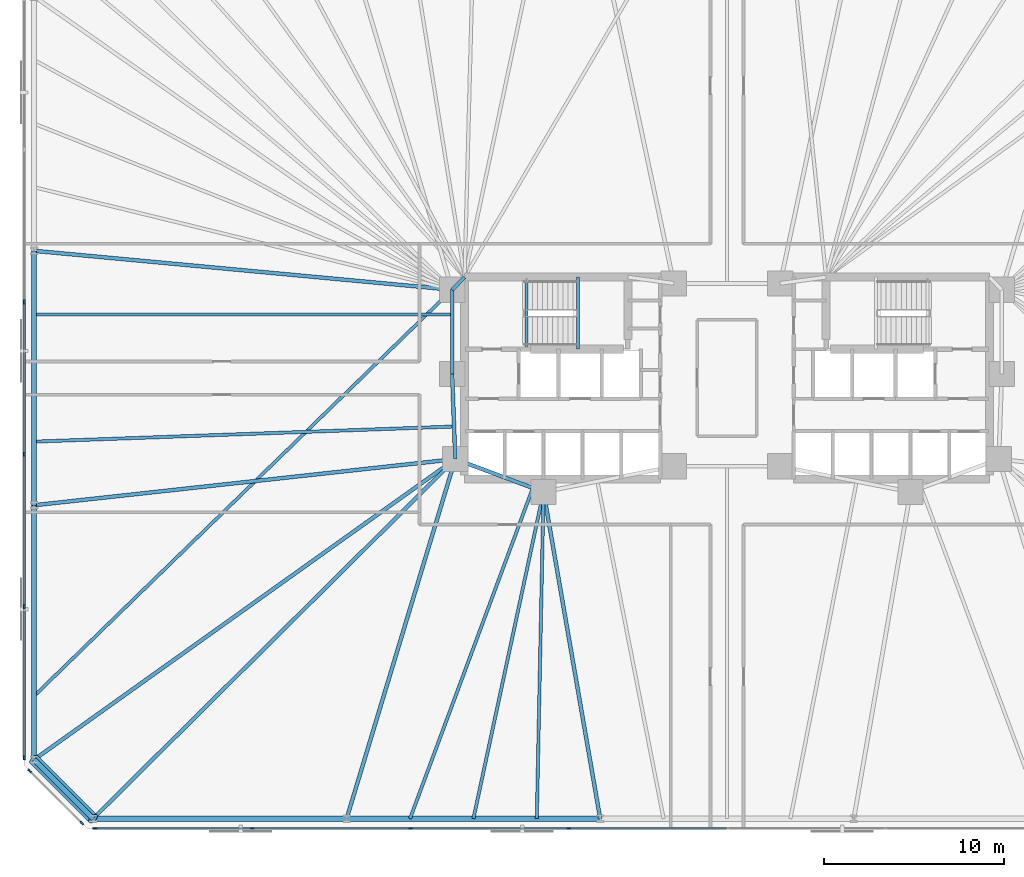
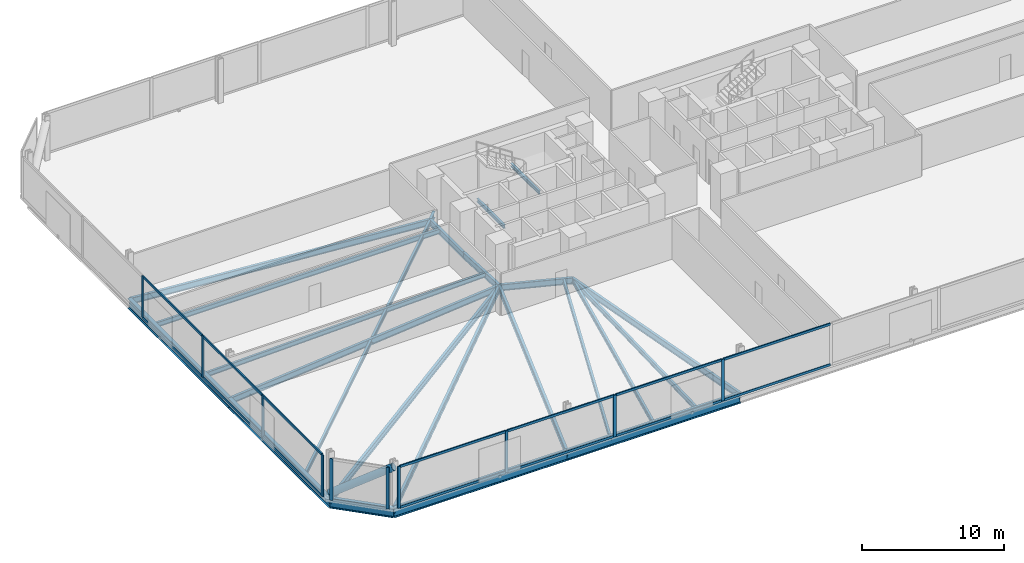
# One storey, part 6 of 16: 25 members, 23 beams, 3 elements without a shape of their own.
"""IFC4 building model written with IfcOpenShell, lengths in metres."""

import ifcopenshell
import ifcopenshell.guid

model = None  # the IFC model being written
_history = None  # IfcOwnerHistory: only IFC2X3 demands one
_inside = {}  # id of a spatial element -> (the spatial element, [elements in it])
_under = {}  # id of a project, library or spatial element -> (it, [spatial elements below it])
_declared = {}  # id of a project -> (the project, [libraries it declares])
_typed = {}  # id of a type object -> (the type object, [elements of that type])
_made_of = {}  # id of a material, layer set ... -> (it, [elements and type objects made of it])


def new_model(schema):
    """Start an empty IFC model of exactly this schema.

    Asked for "IFC4X3", IfcOpenShell would pick the latest addendum, in which some entities
    have other attributes; the version numbers below select the first issue.
    IFC2X3 requires an IfcOwnerHistory on every rooted entity: one is made here for all.
    """
    global model, _history
    if schema == "IFC4X3":
        model = ifcopenshell.file(schema_version=(4, 3, 0, 0))
    else:
        model = ifcopenshell.file(schema=schema)
    _inside.clear()
    _under.clear()
    _declared.clear()
    _typed.clear()
    _made_of.clear()
    _history = None
    if model.schema == "IFC2X3":
        org = make("IfcOrganization", Name="unknown")
        user = make(
            "IfcPersonAndOrganization",
            ThePerson=make("IfcPerson", FamilyName="unknown"),
            TheOrganization=org,
        )
        app = make(
            "IfcApplication",
            ApplicationDeveloper=org,
            Version="unknown",
            ApplicationFullName="unknown",
            ApplicationIdentifier="unknown",
        )
        _history = make(
            "IfcOwnerHistory",
            OwningUser=user,
            OwningApplication=app,
            ChangeAction="ADDED",
            CreationDate=0,
        )
    return model


def make(cls, **values):
    """One entity of the class cls with the attributes given. An attribute that is None is left unset."""
    return model.create_entity(
        cls, **{name: value for name, value in values.items() if value is not None}
    )


def rooted(cls, **values):
    """An entity with a GlobalId (a new one), such as an element, a storey or a relation."""
    return make(cls, GlobalId=ifcopenshell.guid.new(), OwnerHistory=_history, **values)


def si_unit(unit_type, name, prefix=None):
    """IfcSIUnit, for example si_unit("LENGTHUNIT", "METRE", prefix="MILLI")."""
    return make("IfcSIUnit", UnitType=unit_type, Prefix=prefix, Name=name)


def assignment(units):
    """IfcUnitAssignment: the units of a project."""
    return None if units is None else make("IfcUnitAssignment", Units=units)


def point(xyz):
    """IfcCartesianPoint."""
    return None if xyz is None else make("IfcCartesianPoint", Coordinates=xyz)


def direction(xyz):
    """IfcDirection."""
    return None if xyz is None else make("IfcDirection", DirectionRatios=xyz)


def frame(location, z_axis=None, x_axis=None):
    """IfcAxis2Placement3D, a coordinate frame: its origin and axes. An axis left out is left unset."""
    return make(
        "IfcAxis2Placement3D",
        Location=point(location),
        Axis=direction(z_axis),
        RefDirection=direction(x_axis),
    )


def frame_2d(location, x_axis=None):
    """IfcAxis2Placement2D, a coordinate frame in the plane: its origin and x axis."""
    return make(
        "IfcAxis2Placement2D", Location=point(location), RefDirection=direction(x_axis)
    )


def origin():
    """The frame at (0, 0, 0) with its axes left unset."""
    return frame((0.0, 0.0, 0.0))


def origin_2d():
    """The frame at (0, 0) in the plane with its x axis left unset."""
    return frame_2d((0.0, 0.0))


def place(relative_to, where):
    """IfcLocalPlacement: puts the frame where relative to a parent placement (None: the world)."""
    return make(
        "IfcLocalPlacement", PlacementRelTo=relative_to, RelativePlacement=where
    )


def context(
    kind, dimensions, precision=None, world=None, true_north=None, identifier=None
):
    """IfcGeometricRepresentationContext, for example the 3D "Model" context."""
    return make(
        "IfcGeometricRepresentationContext",
        ContextIdentifier=identifier,
        ContextType=kind,
        CoordinateSpaceDimension=dimensions,
        Precision=precision,
        WorldCoordinateSystem=world,
        TrueNorth=true_north,
    )


def subcontext(parent, identifier, kind, view, scale=None):
    """IfcGeometricRepresentationSubContext, for example "Body" below "Model"."""
    return make(
        "IfcGeometricRepresentationSubContext",
        ContextIdentifier=identifier,
        ContextType=kind,
        ParentContext=parent,
        TargetScale=scale,
        TargetView=view,
    )


def project(units=None, contexts=None):
    """IfcProject with its units and contexts."""
    return rooted(
        "IfcProject",
        Name="project",
        RepresentationContexts=contexts,
        UnitsInContext=assignment(units),
    )


def spatial(cls, under=None, at=None, **own):
    """A site, building, storey or space (cls), placed at a placement, below another one or the project."""
    s = rooted(cls, ObjectPlacement=at, **own)
    if under is not None:
        _under.setdefault(under.id(), (under, []))[1].append(s)
    return s


def profile(cls, at=None, kind="AREA", **sizes):
    """A parametric profile (cls). Its sizes go by their IFC names, for example OverallWidth=200.0."""
    return make(cls, ProfileType=kind, Position=at, **sizes)


def rectangle(**sizes):
    """IfcRectangleProfileDef."""
    return profile("IfcRectangleProfileDef", **sizes)


def hollow_circle(**sizes):
    """IfcCircleHollowProfileDef."""
    return profile("IfcCircleHollowProfileDef", **sizes)


def i_section(**sizes):
    """IfcIShapeProfileDef."""
    return profile("IfcIShapeProfileDef", **sizes)


def extrude(swept, where, along, depth):
    """IfcExtrudedAreaSolid: the profile swept, set in the frame where, extruded along a direction by depth."""
    return make(
        "IfcExtrudedAreaSolid",
        SweptArea=swept,
        Position=where,
        ExtrudedDirection=direction(along),
        Depth=depth,
    )


def shape(context_of_items, identifier, shape_type, items):
    """IfcShapeRepresentation: the items that make up one representation, for example the "Body"."""
    return make(
        "IfcShapeRepresentation",
        ContextOfItems=context_of_items,
        RepresentationIdentifier=identifier,
        RepresentationType=shape_type,
        Items=items,
    )


def material(Name=None, Category=None):
    """IfcMaterial."""
    return make("IfcMaterial", Name=Name, Category=Category)


def material_profile(
    of_material, cross_section, Name=None, Category=None, Priority=None
):
    """IfcMaterialProfile: a cross section and its material."""
    return make(
        "IfcMaterialProfile",
        Name=Name,
        Material=of_material,
        Profile=cross_section,
        Priority=Priority,
        Category=Category,
    )


def profile_set(profiles, Name=None, composite=None):
    """IfcMaterialProfileSet."""
    return make(
        "IfcMaterialProfileSet",
        Name=Name,
        MaterialProfiles=profiles,
        CompositeProfile=composite,
    )


def made_of(thing, what):
    """Note that an element or type object is made of a material, layer set ...; save() writes the relation."""
    if what is not None:
        _made_of.setdefault(what.id(), (what, []))[1].append(thing)
    return thing


def type_object(cls, material=None, **own):
    """A type object (cls), such as IfcWallType, which elements share."""
    return made_of(rooted(cls, **own), material)


def element(
    cls,
    number,
    at=None,
    inside=None,
    cuts=None,
    type_object=None,
    material=None,
    context=None,
    identifier="Body",
    shape_type=None,
    held_by="IfcProductDefinitionShape",
    body=None,
    shapes=None,
    **own,
):
    """One element of the class cls, such as IfcWall. Its Tag is "e" and its number.

    at: its placement. inside: the storey or other place that contains it. cuts: it is an
    opening in that element (IfcRelVoidsElement). A single representation is given by context,
    identifier, shape_type and body (its items); several are given by shapes. held_by: the class
    of the entity that holds the representations. save() writes the other relations.
    """
    e = rooted(cls, Tag="e%d" % number, ObjectPlacement=at, **own)
    if body is not None:
        shapes = [shape(context, identifier, shape_type, body)]
    if shapes is not None:
        e.Representation = make(held_by, Representations=shapes)
    if inside is not None:
        _inside.setdefault(inside.id(), (inside, []))[1].append(e)
    if cuts is not None:
        rooted(
            "IfcRelVoidsElement", RelatingBuildingElement=cuts, RelatedOpeningElement=e
        )
    if type_object is not None:
        _typed.setdefault(type_object.id(), (type_object, []))[1].append(e)
    return made_of(e, material)


def aggregate(whole, parts):
    """IfcRelAggregates: a whole, such as a stair, and the parts it consists of."""
    return rooted("IfcRelAggregates", RelatingObject=whole, RelatedObjects=parts)


def save(model, path):
    """Write the relations noted so far, then the file.

    IfcRelAggregates (storeys below a building ...), IfcRelContainedInSpatialStructure (elements
    in a storey), IfcRelDefinesByType, IfcRelAssociatesMaterial and IfcRelDeclares: one each for
    every whole, place, type object, material and project.
    """
    for whole, parts in _under.values():
        aggregate(whole, parts)
    for where, things in _inside.values():
        rooted(
            "IfcRelContainedInSpatialStructure",
            RelatedElements=things,
            RelatingStructure=where,
        )
    for kind, things in _typed.values():
        rooted("IfcRelDefinesByType", RelatedObjects=things, RelatingType=kind)
    for what, things in _made_of.values():
        rooted("IfcRelAssociatesMaterial", RelatedObjects=things, RelatingMaterial=what)
    for by, libraries in _declared.values():
        rooted("IfcRelDeclares", RelatingContext=by, RelatedDefinitions=libraries)
    model.write(path)


model = new_model("IFC4")

# Units and contexts
model_context = context("Model", 3, precision=1e-05, world=origin(), true_north=direction((0.0, 1.0)))
body_context = subcontext(model_context, "Body", "Model", "MODEL_VIEW")
ifc_project = project(units=[si_unit("LENGTHUNIT", "METRE"), si_unit("AREAUNIT", "SQUARE_METRE"), si_unit("VOLUMEUNIT", "CUBIC_METRE"), si_unit("PLANEANGLEUNIT", "RADIAN"), si_unit("MASSUNIT", "GRAM", prefix="KILO")], contexts=[model_context])

# Site, building, storey
site_placement = place(None, origin())
site = spatial("IfcSite", under=ifc_project, at=site_placement, CompositionType="ELEMENT")
building_placement = place(site_placement, origin())
building = spatial("IfcBuilding", under=site, at=building_placement, Name="Menara Jurai Vektor", CompositionType="ELEMENT")
storey_placement = place(building_placement, frame((0.0, 0.0, 67.39990234375)))
storey = spatial("IfcBuildingStorey", under=building, at=storey_placement, Name="L16", CompositionType="ELEMENT", Elevation=67.39990234375)

# Curtain wall, members
ifc_material_1 = material(Name="Anodised Pale Aluminium & Low-E Double Glazing", Category="aluminium")
curtain_wall_type = type_object("IfcCurtainWallType", Name="CW-BLK1", PredefinedType="NOTDEFINED", material=ifc_material_1)
curtain_wall_1_placement = place(storey_placement, origin())
curtain_wall_1 = element("IfcCurtainWall", 1, at=curtain_wall_1_placement, inside=storey, type_object=curtain_wall_type, Name="Unitised Curtain Wall L16 F01", PredefinedType="NOTDEFINED")
ifc_material_2 = material(Name="Anodised Pale Aluminium Mullion", Category="aluminium")
ifc_material_profile_1 = material_profile(ifc_material_2, rectangle(XDim=0.094970703125, YDim=0.239990234375, at=origin_2d()), Name="ALU MUL 95x240")
ifc_profile_set_1 = profile_set([ifc_material_profile_1], Name="Anodised Pale Aluminium Mullion")
member_type_1 = type_object("IfcMemberType", Name="CW-BLK1-MUL", PredefinedType="MULLION", material=ifc_profile_set_1)
member_1_placement = place(storey_placement, frame((-35.072509765625, -25.0, 0.0), z_axis=(0.0, 0.0, 1.0), x_axis=(0.0, 1.0, 0.0)))
member_1 = element("IfcMember", 2, at=member_1_placement, type_object=member_type_1, Name="CW-01 mullion 1", PredefinedType="MULLION", context=body_context, shape_type="SweptSolid", body=[
    extrude(rectangle(XDim=0.094970703125, YDim=0.239990234375, at=origin_2d()), origin(), (0.0, 0.0, 1.0), 3.5751953125),
])
member_2_placement = place(storey_placement, frame((-26.340087890625, -25.0, 0.0), z_axis=(0.0, 0.0, 1.0), x_axis=(0.0, 1.0, 0.0)))
member_2 = element("IfcMember", 3, at=member_2_placement, type_object=member_type_1, Name="CW-01 mullion 2", PredefinedType="MULLION", context=body_context, shape_type="SweptSolid", body=[
    extrude(rectangle(XDim=0.094970703125, YDim=0.239990234375, at=origin_2d()), origin(), (0.0, 0.0, 1.0), 3.5751953125),
])
member_3_placement = place(storey_placement, frame((-17.56005859375, -25.0, 0.0), z_axis=(0.0, 0.0, 1.0), x_axis=(0.0, 1.0, 0.0)))
member_3 = element("IfcMember", 4, at=member_3_placement, type_object=member_type_1, Name="CW-01 mullion 3", PredefinedType="MULLION", context=body_context, shape_type="SweptSolid", body=[
    extrude(rectangle(XDim=0.094970703125, YDim=0.239990234375, at=origin_2d()), origin(), (0.0, 0.0, 1.0), 3.5751953125),
])
member_4_placement = place(storey_placement, frame((-8.780029296875, -25.0, 0.0), z_axis=(0.0, 0.0, 1.0), x_axis=(0.0, 1.0, 0.0)))
member_4 = element("IfcMember", 5, at=member_4_placement, type_object=member_type_1, Name="CW-01 mullion 4", PredefinedType="MULLION", context=body_context, shape_type="SweptSolid", body=[
    extrude(rectangle(XDim=0.094970703125, YDim=0.239990234375, at=origin_2d()), origin(), (0.0, 0.0, 1.0), 3.5751953125),
])

curtain_wall_2_placement = place(storey_placement, origin())
curtain_wall_2 = element("IfcCurtainWall", 6, at=curtain_wall_2_placement, inside=storey, type_object=curtain_wall_type, Name="Unitised Curtain Wall L16 F07", PredefinedType="NOTDEFINED")
member_5_placement = place(storey_placement, frame((-39.0, 4.22412109375, 0.0), z_axis=(0.0, 0.0, 1.0), x_axis=(1.0, 0.0, 0.0)))
member_5 = element("IfcMember", 7, at=member_5_placement, type_object=member_type_1, Name="CW-01 mullion 3", PredefinedType="MULLION", context=body_context, shape_type="SweptSolid", body=[
    extrude(rectangle(XDim=0.094970703125, YDim=0.239990234375, at=origin_2d()), origin(), (0.0, 0.0, 1.0), 3.5751953125),
])
member_6_placement = place(storey_placement, frame((-39.0, -4.22412109375, 0.0), z_axis=(0.0, 0.0, 1.0), x_axis=(1.0, 0.0, 0.0)))
member_6 = element("IfcMember", 8, at=member_6_placement, type_object=member_type_1, Name="CW-01 mullion 4", PredefinedType="MULLION", context=body_context, shape_type="SweptSolid", body=[
    extrude(rectangle(XDim=0.094970703125, YDim=0.239990234375, at=origin_2d()), origin(), (0.0, 0.0, 1.0), 3.5751953125),
])
member_7_placement = place(storey_placement, frame((-39.0, -12.672119140625, 0.0), z_axis=(0.0, 0.0, 1.0), x_axis=(1.0, 0.0, 0.0)))
member_7 = element("IfcMember", 9, at=member_7_placement, type_object=member_type_1, Name="CW-01 mullion 5", PredefinedType="MULLION", context=body_context, shape_type="SweptSolid", body=[
    extrude(rectangle(XDim=0.094970703125, YDim=0.239990234375, at=origin_2d()), origin(), (0.0, 0.0, 1.0), 3.5751953125),
])
member_8_placement = place(storey_placement, frame((-39.0, -21.072509765625, 0.0), z_axis=(0.0, 0.0, 1.0), x_axis=(1.0, 0.0, 0.0)))
member_8 = element("IfcMember", 10, at=member_8_placement, type_object=member_type_1, Name="CW-01 mullion 6", PredefinedType="MULLION", context=body_context, shape_type="SweptSolid", body=[
    extrude(rectangle(XDim=0.094970703125, YDim=0.239990234375, at=origin_2d()), origin(), (0.0, 0.0, 1.0), 3.5751953125),
])

curtain_wall_3_placement = place(storey_placement, origin())
curtain_wall_3 = element("IfcCurtainWall", 11, at=curtain_wall_3_placement, inside=storey, type_object=curtain_wall_type, Name="Unitised Curtain Wall L16 F08", PredefinedType="NOTDEFINED")
member_9_placement = place(storey_placement, frame((-38.69775390625, -21.80224609375, 0.0), z_axis=(0.0, 0.0, 1.0), x_axis=(0.707106781187, 0.707106781187, 0.0)))
member_9 = element("IfcMember", 12, at=member_9_placement, type_object=member_type_1, Name="CW-01 mullion 1", PredefinedType="MULLION", context=body_context, shape_type="SweptSolid", body=[
    extrude(rectangle(XDim=0.094970703125, YDim=0.239990234375, at=origin_2d()), origin(), (0.0, 0.0, 1.0), 3.5751953125),
])
member_10_placement = place(storey_placement, frame((-35.80224609375, -24.69775390625, 0.0), z_axis=(0.0, 0.0, 1.0), x_axis=(0.707106781187, 0.707106781187, 0.0)))
member_10 = element("IfcMember", 13, at=member_10_placement, type_object=member_type_1, Name="CW-01 mullion 2", PredefinedType="MULLION", context=body_context, shape_type="SweptSolid", body=[
    extrude(rectangle(XDim=0.094970703125, YDim=0.239990234375, at=origin_2d()), origin(), (0.0, 0.0, 1.0), 3.5751953125),
])
aggregate(curtain_wall_3, [member_9, member_10])

# Member
ifc_material_3 = material(Name="Anodised Pale Aluminium Transom", Category="aluminium")
ifc_material_profile_2 = material_profile(ifc_material_3, rectangle(XDim=0.094970703125, YDim=0.199951171875, at=origin_2d()), Name="ALU TRN 95x200")
ifc_profile_set_2 = profile_set([ifc_material_profile_2], Name="Anodised Pale Aluminium Transom")
member_type_2 = type_object("IfcMemberType", Name="CW-BLK1-TRN", PredefinedType="USERDEFINED", material=ifc_profile_set_2)
member_11_placement = place(storey_placement, frame((-35.02490234375, -25.0, 0.047607421875), z_axis=(1.0, 0.0, 0.0), x_axis=(0.0, 1.0, 0.0)))
member_11 = element("IfcMember", 14, at=member_11_placement, type_object=member_type_2, Name="CW-01 transom 1.1", ObjectType="TRANSOM", PredefinedType="USERDEFINED", context=body_context, shape_type="SweptSolid", body=[
    extrude(rectangle(XDim=0.094970703125, YDim=0.199951171875, at=origin_2d()), origin(), (0.0, 0.0, 1.0), 8.637451171875),
])

member_12_placement = place(storey_placement, frame((-35.02490234375, -25.0, 3.527587890625), z_axis=(1.0, 0.0, 0.0), x_axis=(0.0, 1.0, 0.0)))
member_12 = element("IfcMember", 15, at=member_12_placement, type_object=member_type_2, Name="CW-01 transom 1.2", ObjectType="TRANSOM", PredefinedType="USERDEFINED", context=body_context, shape_type="SweptSolid", body=[
    extrude(rectangle(XDim=0.094970703125, YDim=0.199951171875, at=origin_2d()), origin(), (0.0, 0.0, 1.0), 8.637451171875),
])

member_13_placement = place(storey_placement, frame((-26.29248046875, -25.0, 0.047607421875), z_axis=(1.0, 0.0, 0.0), x_axis=(0.0, 1.0, 0.0)))
member_13 = element("IfcMember", 16, at=member_13_placement, type_object=member_type_2, Name="CW-01 transom 2.1", ObjectType="TRANSOM", PredefinedType="USERDEFINED", context=body_context, shape_type="SweptSolid", body=[
    extrude(rectangle(XDim=0.094970703125, YDim=0.199951171875, at=origin_2d()), origin(), (0.0, 0.0, 1.0), 8.68505859375),
])

member_14_placement = place(storey_placement, frame((-26.29248046875, -25.0, 3.527587890625), z_axis=(1.0, 0.0, 0.0), x_axis=(0.0, 1.0, 0.0)))
member_14 = element("IfcMember", 17, at=member_14_placement, type_object=member_type_2, Name="CW-01 transom 2.2", ObjectType="TRANSOM", PredefinedType="USERDEFINED", context=body_context, shape_type="SweptSolid", body=[
    extrude(rectangle(XDim=0.094970703125, YDim=0.199951171875, at=origin_2d()), origin(), (0.0, 0.0, 1.0), 8.68505859375),
])

member_15_placement = place(storey_placement, frame((-17.512451171875, -25.0, 0.047607421875), z_axis=(1.0, 0.0, 0.0), x_axis=(0.0, 1.0, 0.0)))
member_15 = element("IfcMember", 18, at=member_15_placement, type_object=member_type_2, Name="CW-01 transom 3.1", ObjectType="TRANSOM", PredefinedType="USERDEFINED", context=body_context, shape_type="SweptSolid", body=[
    extrude(rectangle(XDim=0.094970703125, YDim=0.199951171875, at=origin_2d()), origin(), (0.0, 0.0, 1.0), 8.68505859375),
])

member_16_placement = place(storey_placement, frame((-17.512451171875, -25.0, 3.527587890625), z_axis=(1.0, 0.0, 0.0), x_axis=(0.0, 1.0, 0.0)))
member_16 = element("IfcMember", 19, at=member_16_placement, type_object=member_type_2, Name="CW-01 transom 3.2", ObjectType="TRANSOM", PredefinedType="USERDEFINED", context=body_context, shape_type="SweptSolid", body=[
    extrude(rectangle(XDim=0.094970703125, YDim=0.199951171875, at=origin_2d()), origin(), (0.0, 0.0, 1.0), 8.68505859375),
])

member_17_placement = place(storey_placement, frame((-8.732421875, -25.0, 0.047607421875), z_axis=(1.0, 0.0, 0.0), x_axis=(0.0, 1.0, 0.0)))
member_17 = element("IfcMember", 20, at=member_17_placement, type_object=member_type_2, Name="CW-01 transom 4.1", ObjectType="TRANSOM", PredefinedType="USERDEFINED", context=body_context, shape_type="SweptSolid", body=[
    extrude(rectangle(XDim=0.094970703125, YDim=0.199951171875, at=origin_2d()), origin(), (0.0, 0.0, 1.0), 8.684814453125),
])

member_18_placement = place(storey_placement, frame((-8.732421875, -25.0, 3.527587890625), z_axis=(1.0, 0.0, 0.0), x_axis=(0.0, 1.0, 0.0)))
member_18 = element("IfcMember", 21, at=member_18_placement, type_object=member_type_2, Name="CW-01 transom 4.2", ObjectType="TRANSOM", PredefinedType="USERDEFINED", context=body_context, shape_type="SweptSolid", body=[
    extrude(rectangle(XDim=0.094970703125, YDim=0.199951171875, at=origin_2d()), origin(), (0.0, 0.0, 1.0), 8.684814453125),
])

aggregate(curtain_wall_1, [member_1, member_2, member_3, member_4, member_11, member_12, member_13, member_14, member_15, member_16, member_17, member_18])

member_19_placement = place(storey_placement, frame((-39.0, 4.176513671875, 0.047607421875), z_axis=(0.0, -1.0, 0.0), x_axis=(1.0, 0.0, 0.0)))
member_19 = element("IfcMember", 22, at=member_19_placement, type_object=member_type_2, Name="CW-01 transom 3.1", ObjectType="TRANSOM", PredefinedType="USERDEFINED", context=body_context, shape_type="SweptSolid", body=[
    extrude(rectangle(XDim=0.094970703125, YDim=0.199951171875, at=origin_2d()), origin(), (0.0, 0.0, 1.0), 8.35302734375),
])

member_20_placement = place(storey_placement, frame((-39.0, 4.176513671875, 3.527587890625), z_axis=(0.0, -1.0, 0.0), x_axis=(1.0, 0.0, 0.0)))
member_20 = element("IfcMember", 23, at=member_20_placement, type_object=member_type_2, Name="CW-01 transom 3.2", ObjectType="TRANSOM", PredefinedType="USERDEFINED", context=body_context, shape_type="SweptSolid", body=[
    extrude(rectangle(XDim=0.094970703125, YDim=0.199951171875, at=origin_2d()), origin(), (0.0, 0.0, 1.0), 8.35302734375),
])

member_21_placement = place(storey_placement, frame((-39.0, -4.271484375, 0.047607421875), z_axis=(0.0, -1.0, 0.0), x_axis=(1.0, 0.0, 0.0)))
member_21 = element("IfcMember", 24, at=member_21_placement, type_object=member_type_2, Name="CW-01 transom 4.1", ObjectType="TRANSOM", PredefinedType="USERDEFINED", context=body_context, shape_type="SweptSolid", body=[
    extrude(rectangle(XDim=0.094970703125, YDim=0.199951171875, at=origin_2d()), origin(), (0.0, 0.0, 1.0), 8.35302734375),
])

member_22_placement = place(storey_placement, frame((-39.0, -4.271484375, 3.527587890625), z_axis=(0.0, -1.0, 0.0), x_axis=(1.0, 0.0, 0.0)))
member_22 = element("IfcMember", 25, at=member_22_placement, type_object=member_type_2, Name="CW-01 transom 4.2", ObjectType="TRANSOM", PredefinedType="USERDEFINED", context=body_context, shape_type="SweptSolid", body=[
    extrude(rectangle(XDim=0.094970703125, YDim=0.199951171875, at=origin_2d()), origin(), (0.0, 0.0, 1.0), 8.35302734375),
])

member_23_placement = place(storey_placement, frame((-39.0, -12.719482421875, 0.047607421875), z_axis=(0.0, -1.0, 0.0), x_axis=(1.0, 0.0, 0.0)))
member_23 = element("IfcMember", 26, at=member_23_placement, type_object=member_type_2, Name="CW-01 transom 5.1", ObjectType="TRANSOM", PredefinedType="USERDEFINED", context=body_context, shape_type="SweptSolid", body=[
    extrude(rectangle(XDim=0.094970703125, YDim=0.199951171875, at=origin_2d()), origin(), (0.0, 0.0, 1.0), 8.305419921875),
])

member_24_placement = place(storey_placement, frame((-39.0, -12.719482421875, 3.527587890625), z_axis=(0.0, -1.0, 0.0), x_axis=(1.0, 0.0, 0.0)))
member_24 = element("IfcMember", 27, at=member_24_placement, type_object=member_type_2, Name="CW-01 transom 5.2", ObjectType="TRANSOM", PredefinedType="USERDEFINED", context=body_context, shape_type="SweptSolid", body=[
    extrude(rectangle(XDim=0.094970703125, YDim=0.199951171875, at=origin_2d()), origin(), (0.0, 0.0, 1.0), 8.305419921875),
])

aggregate(curtain_wall_2, [member_5, member_6, member_7, member_8, member_19, member_20, member_21, member_22, member_23, member_24])

# Beams
ifc_material_4 = material(Name="Steel S355", Category="steel")
ifc_material_profile_3 = material_profile(ifc_material_4, i_section(OverallWidth=0.2109375, OverallDepth=0.5390625, WebThickness=0.011962890625, FlangeThickness=0.01904296875, FilletRadius=0.012939453125, at=origin_2d()), Name="UKB 533x210x109")
ifc_profile_set_3 = profile_set([ifc_material_profile_3], Name="Steel S355")
beam_type_1 = type_object("IfcBeamType", Name="STR-BM-533", PredefinedType="BEAM", material=ifc_profile_set_3)
beam_1_placement = place(storey_placement, frame((-15.25, 4.89990234375, -0.494384765625), z_axis=(0.701871936926, 0.712303154672, 0.0), x_axis=(-0.712303154672, 0.701871936926, 0.0)))
element("IfcBeam", 28, at=beam_1_placement, inside=storey, type_object=beam_type_1, Name="Core Ring Header Girder L16-CHW-N1", PredefinedType="BEAM", context=body_context, shape_type="SweptSolid", body=[
    extrude(i_section(OverallWidth=0.2109375, OverallDepth=0.5390625, WebThickness=0.011962890625, FlangeThickness=0.01904296875, FilletRadius=0.012939453125, at=origin_2d()), origin(), (0.0, 0.0, 1.0), 0.98291015625),
])
beam_2_placement = place(storey_placement, frame((-15.25, 0.219970703125, -0.494384765625), z_axis=(0.0, 1.0, 0.0), x_axis=(-1.0, 0.0, 0.0)))
element("IfcBeam", 29, at=beam_2_placement, inside=storey, type_object=beam_type_1, Name="Core Ring Header Girder L16-CHW-W1", PredefinedType="BEAM", context=body_context, shape_type="SweptSolid", body=[
    extrude(i_section(OverallWidth=0.2109375, OverallDepth=0.5390625, WebThickness=0.011962890625, FlangeThickness=0.01904296875, FilletRadius=0.012939453125, at=origin_2d()), origin(), (0.0, 0.0, 1.0), 4.679931640625),
])
beam_3_placement = place(storey_placement, frame((-15.080078125, -4.5, -0.494384765625), z_axis=(-0.035977314146, 0.999352606874, 0.0), x_axis=(-0.999352606874, -0.035977314146, 0.0)))
element("IfcBeam", 30, at=beam_3_placement, inside=storey, type_object=beam_type_1, Name="Core Ring Header Girder L16-CHW-W2", PredefinedType="BEAM", context=body_context, shape_type="SweptSolid", body=[
    extrude(i_section(OverallWidth=0.2109375, OverallDepth=0.5390625, WebThickness=0.011962890625, FlangeThickness=0.01904296875, FilletRadius=0.012939453125, at=origin_2d()), origin(), (0.0, 0.0, 1.0), 4.72314453125),
])
beam_4_placement = place(storey_placement, frame((-15.080078125, -4.5, -0.494384765625), z_axis=(0.937424400887, -0.348188874925, 0.0), x_axis=(0.348188874925, 0.937424400887, 0.0)))
element("IfcBeam", 31, at=beam_4_placement, inside=storey, type_object=beam_type_1, Name="Core Ring Header Girder L16-CHW-S1", PredefinedType="BEAM", context=body_context, shape_type="SweptSolid", body=[
    extrude(i_section(OverallWidth=0.2109375, OverallDepth=0.5390625, WebThickness=0.011962890625, FlangeThickness=0.01904296875, FilletRadius=0.012939453125, at=origin_2d()), origin(), (0.0, 0.0, 1.0), 5.227294921875),
])
beam_5_placement = place(storey_placement, frame((-35.177734375, -24.449951171875, -0.494384765625), z_axis=(0.709709931659, 0.704494011972, 0.0), x_axis=(-0.704494011972, 0.709709931659, 0.0)))
element("IfcBeam", 32, at=beam_5_placement, inside=storey, type_object=beam_type_1, Name="Radial Floor Girder L16-S1", PredefinedType="BEAM", context=body_context, shape_type="SweptSolid", body=[
    extrude(i_section(OverallWidth=0.2109375, OverallDepth=0.5390625, WebThickness=0.011962890625, FlangeThickness=0.01904296875, FilletRadius=0.012939453125, at=origin_2d()), origin(), (0.0, 0.0, 1.0), 28.318115234375),
])
beam_6_placement = place(storey_placement, frame((-21.106689453125, -24.449951171875, -0.494384765625), z_axis=(0.289179812203, 0.957274796604, 0.0), x_axis=(-0.957274796604, 0.289179812203, 0.0)))
element("IfcBeam", 33, at=beam_6_placement, inside=storey, type_object=beam_type_1, Name="Radial Floor Girder L16-S2", PredefinedType="BEAM", context=body_context, shape_type="SweptSolid", body=[
    extrude(i_section(OverallWidth=0.2109375, OverallDepth=0.5390625, WebThickness=0.011962890625, FlangeThickness=0.01904296875, FilletRadius=0.012939453125, at=origin_2d()), origin(), (0.0, 0.0, 1.0), 20.84033203125),
])
beam_7_placement = place(storey_placement, frame((-7.03564453125, -24.449951171875, -0.494384765625), z_axis=(-0.170880325642, 0.985291791455, 0.0), x_axis=(-0.985291791455, -0.170880325642, 0.0)))
element("IfcBeam", 34, at=beam_7_placement, inside=storey, type_object=beam_type_1, Name="Radial Floor Girder L16-S3", PredefinedType="BEAM", context=body_context, shape_type="SweptSolid", body=[
    extrude(i_section(OverallWidth=0.2109375, OverallDepth=0.5390625, WebThickness=0.011962890625, FlangeThickness=0.01904296875, FilletRadius=0.012939453125, at=origin_2d()), origin(), (0.0, 0.0, 1.0), 18.400634765625),
])
beam_8_placement = place(storey_placement, frame((-38.449951171875, 7.059326171875, -0.494384765625), z_axis=(0.995696113112, -0.092678208514, 0.0), x_axis=(0.092678208514, 0.995696113112, 0.0)))
element("IfcBeam", 35, at=beam_8_placement, inside=storey, type_object=beam_type_1, Name="Radial Floor Girder L16-W2", PredefinedType="BEAM", context=body_context, shape_type="SweptSolid", body=[
    extrude(i_section(OverallWidth=0.2109375, OverallDepth=0.5390625, WebThickness=0.011962890625, FlangeThickness=0.01904296875, FilletRadius=0.012939453125, at=origin_2d()), origin(), (0.0, 0.0, 1.0), 23.30029296875),
])
beam_9_placement = place(storey_placement, frame((-38.449951171875, -7.059326171875, -0.494384765625), z_axis=(0.994056757953, 0.108863042253, 0.0), x_axis=(-0.108863042253, 0.994056757953, 0.0)))
element("IfcBeam", 36, at=beam_9_placement, inside=storey, type_object=beam_type_1, Name="Radial Floor Girder L16-W3", PredefinedType="BEAM", context=body_context, shape_type="SweptSolid", body=[
    extrude(i_section(OverallWidth=0.2109375, OverallDepth=0.5390625, WebThickness=0.011962890625, FlangeThickness=0.01904296875, FilletRadius=0.012939453125, at=origin_2d()), origin(), (0.0, 0.0, 1.0), 23.509521484375),
])
beam_10_placement = place(storey_placement, frame((-38.449951171875, -21.177734375, -0.494384765625), z_axis=(0.813981033216, 0.580891450759, 0.0), x_axis=(-0.580891450759, 0.813981033216, 0.0)))
element("IfcBeam", 37, at=beam_10_placement, inside=storey, type_object=beam_type_1, Name="Radial Floor Girder L16-W4", PredefinedType="BEAM", context=body_context, shape_type="SweptSolid", body=[
    extrude(i_section(OverallWidth=0.2109375, OverallDepth=0.5390625, WebThickness=0.011962890625, FlangeThickness=0.01904296875, FilletRadius=0.012939453125, at=origin_2d()), origin(), (0.0, 0.0, 1.0), 28.710693359375),
])

# Member
ifc_material_5 = material(Name="Steel S460", Category="steel")
ifc_material_profile_4 = material_profile(ifc_material_5, hollow_circle(Radius=0.304931640625, WallThickness=0.02490234375, at=origin_2d()), Name="CHS 610x25")
ifc_profile_set_4 = profile_set([ifc_material_profile_4], Name="Steel S460")
member_type_3 = type_object("IfcMemberType", Name="STR-BR-610", PredefinedType="BRACE", material=ifc_profile_set_4)
member_25_placement = place(storey_placement, frame((-38.449951171875, -21.177734375, 0.150146484375), z_axis=(0.588942422958, -0.588942422958, 0.553438022619), x_axis=(0.707106781187, 0.707106781187, 0.0)))
element("IfcMember", 38, at=member_25_placement, inside=storey, type_object=member_type_3, Name="Exoskeleton Corner Brace L16-4", PredefinedType="BRACE", context=body_context, shape_type="SweptSolid", body=[
    extrude(hollow_circle(Radius=0.304931640625, WallThickness=0.02490234375, at=origin_2d()), origin(), (0.0, 0.0, 1.0), 5.55615234375),
])

# Beams
ifc_material_profile_5 = material_profile(ifc_material_4, i_section(OverallWidth=0.178955078125, OverallDepth=0.408935546875, WebThickness=0.009033203125, FlangeThickness=0.013916015625, FilletRadius=0.010009765625, at=origin_2d()), Name="UKB 406x178x67")
ifc_profile_set_5 = profile_set([ifc_material_profile_5], Name="Steel S355")
beam_type_2 = type_object("IfcBeamType", Name="STR-JS-406", PredefinedType="JOIST", material=ifc_profile_set_5)
beam_11_placement = place(storey_placement, frame((-17.5888671875, -24.449951171875, -0.429443359375), z_axis=(0.348179014223, 0.937428063403, 0.0), x_axis=(-0.937428063403, 0.348179014223, 0.0)))
element("IfcBeam", 39, at=beam_11_placement, inside=storey, type_object=beam_type_2, Name="Radial Secondary Floor Joist L16-JS01", PredefinedType="JOIST", context=body_context, shape_type="SweptSolid", body=[
    extrude(i_section(OverallWidth=0.178955078125, OverallDepth=0.408935546875, WebThickness=0.009033203125, FlangeThickness=0.013916015625, FilletRadius=0.010009765625, at=origin_2d()), origin(), (0.0, 0.0, 1.0), 19.5751953125),
])
beam_12_placement = place(storey_placement, frame((-14.071044921875, -24.449951171875, -0.429443359375), z_axis=(0.209845584412, 0.977734539997, 0.0), x_axis=(-0.977734539997, 0.209845584412, 0.0)))
element("IfcBeam", 40, at=beam_12_placement, inside=storey, type_object=beam_type_2, Name="Radial Secondary Floor Joist L16-JS02", PredefinedType="JOIST", context=body_context, shape_type="SweptSolid", body=[
    extrude(i_section(OverallWidth=0.178955078125, OverallDepth=0.408935546875, WebThickness=0.009033203125, FlangeThickness=0.013916015625, FilletRadius=0.010009765625, at=origin_2d()), origin(), (0.0, 0.0, 1.0), 18.542724609375),
])
beam_13_placement = place(storey_placement, frame((-10.55322265625, -24.449951171875, -0.429443359375), z_axis=(0.020585456509, 0.999788097039, 0.0), x_axis=(-0.999788097039, 0.020585456509, 0.0)))
element("IfcBeam", 41, at=beam_13_placement, inside=storey, type_object=beam_type_2, Name="Radial Secondary Floor Joist L16-JS03", PredefinedType="JOIST", context=body_context, shape_type="SweptSolid", body=[
    extrude(i_section(OverallWidth=0.178955078125, OverallDepth=0.408935546875, WebThickness=0.009033203125, FlangeThickness=0.013916015625, FilletRadius=0.010009765625, at=origin_2d()), origin(), (0.0, 0.0, 1.0), 18.1337890625),
])
beam_14_placement = place(storey_placement, frame((-38.449951171875, 3.529541015625, -0.429443359375), z_axis=(1.0, 0.0, 0.0), x_axis=(0.0, 1.0, 0.0)))
element("IfcBeam", 42, at=beam_14_placement, inside=storey, type_object=beam_type_2, Name="Radial Secondary Floor Joist L16-JS35", PredefinedType="JOIST", context=body_context, shape_type="SweptSolid", body=[
    extrude(i_section(OverallWidth=0.178955078125, OverallDepth=0.408935546875, WebThickness=0.009033203125, FlangeThickness=0.013916015625, FilletRadius=0.010009765625, at=origin_2d()), origin(), (0.0, 0.0, 1.0), 23.199951171875),
])
beam_15_placement = place(storey_placement, frame((-38.449951171875, -3.529541015625, -0.429443359375), z_axis=(0.999352032814, 0.035993256462, 0.0), x_axis=(-0.035993256462, 0.999352032814, 0.0)))
element("IfcBeam", 43, at=beam_15_placement, inside=storey, type_object=beam_type_2, Name="Radial Secondary Floor Joist L16-JS36", PredefinedType="JOIST", context=body_context, shape_type="SweptSolid", body=[
    extrude(i_section(OverallWidth=0.178955078125, OverallDepth=0.408935546875, WebThickness=0.009033203125, FlangeThickness=0.013916015625, FilletRadius=0.010009765625, at=origin_2d()), origin(), (0.0, 0.0, 1.0), 23.31982421875),
])
beam_16_placement = place(storey_placement, frame((-38.449951171875, -17.648193359375, -0.429443359375), z_axis=(0.71710942187, 0.696960599363, 0.0), x_axis=(-0.696960599363, 0.71710942187, 0.0)))
element("IfcBeam", 44, at=beam_16_placement, inside=storey, type_object=beam_type_2, Name="Radial Secondary Floor Joist L16-JS37", PredefinedType="JOIST", context=body_context, shape_type="SweptSolid", body=[
    extrude(i_section(OverallWidth=0.178955078125, OverallDepth=0.408935546875, WebThickness=0.009033203125, FlangeThickness=0.013916015625, FilletRadius=0.010009765625, at=origin_2d()), origin(), (0.0, 0.0, 1.0), 32.35205078125),
])
ifc_material_profile_6 = material_profile(ifc_material_4, i_section(OverallWidth=0.1650390625, OverallDepth=0.302978515625, WebThickness=0.006103515625, FlangeThickness=0.010009765625, FilletRadius=0.009033203125, at=origin_2d()), Name="UKB 305x165x40")
ifc_profile_set_6 = profile_set([ifc_material_profile_6], Name="Steel S355")
beam_type_3 = type_object("IfcBeamType", Name="STR-LN-305", PredefinedType="LINTEL", material=ifc_profile_set_6)
beam_17_placement = place(storey_placement, frame((-11.1201171875, 1.60009765625, -0.37646484375), z_axis=(0.0, 1.0, 0.0), x_axis=(-1.0, 0.0, 0.0)))
element("IfcBeam", 45, at=beam_17_placement, inside=storey, type_object=beam_type_3, Name="Stair Well Floor Trimmer ST1 L16", PredefinedType="LINTEL", context=body_context, shape_type="SweptSolid", body=[
    extrude(i_section(OverallWidth=0.1650390625, OverallDepth=0.302978515625, WebThickness=0.006103515625, FlangeThickness=0.010009765625, FilletRadius=0.009033203125, at=origin_2d()), origin(), (0.0, 0.0, 1.0), 3.81982421875),
])
beam_18_placement = place(storey_placement, frame((-8.27001953125, 1.60009765625, 1.548583984375), z_axis=(0.0, 1.0, 0.0), x_axis=(-1.0, 0.0, 0.0)))
element("IfcBeam", 46, at=beam_18_placement, inside=storey, type_object=beam_type_3, Name="Stair Half-Landing Nosing Trimmer ST1-1 L16", PredefinedType="LINTEL", context=body_context, shape_type="SweptSolid", body=[
    extrude(i_section(OverallWidth=0.1650390625, OverallDepth=0.302978515625, WebThickness=0.006103515625, FlangeThickness=0.010009765625, FilletRadius=0.009033203125, at=origin_2d()), origin(), (0.0, 0.0, 1.0), 4.0),
])
ifc_material_profile_7 = material_profile(ifc_material_5, i_section(OverallWidth=0.2939453125, OverallDepth=0.85107421875, WebThickness=0.01611328125, FlangeThickness=0.027099609375, FilletRadius=0.01806640625, at=origin_2d()), Name="UKB 838x292x226")
ifc_profile_set_7 = profile_set([ifc_material_profile_7], Name="Steel S460")
beam_type_4 = type_object("IfcBeamType", Name="STR-SP-838", PredefinedType="SPANDREL", material=ifc_profile_set_7)
for number, where, z_axis, x_axis, name in (
    (47, (-35.177734375, -24.449951171875, -0.650390625), (1.0, 0.0, 0.0), (0.0, 1.0, 0.0), "Exoskeleton Spandrel Beam L16-01"),
    (48, (-21.106689453125, -24.449951171875, -0.650390625), (1.0, 0.0, 0.0), (0.0, 1.0, 0.0), "Exoskeleton Spandrel Beam L16-02"),
):
    element("IfcBeam", number, at=place(storey_placement, frame(where, z_axis=z_axis, x_axis=x_axis)), inside=storey, type_object=beam_type_4, Name=name, PredefinedType="SPANDREL", context=body_context, shape_type="SweptSolid", body=[
        extrude(i_section(OverallWidth=0.2939453125, OverallDepth=0.85107421875, WebThickness=0.01611328125, FlangeThickness=0.027099609375, FilletRadius=0.01806640625, at=origin_2d()), origin(), (0.0, 0.0, 1.0), 14.071044921875),
    ])
beam_19_placement = place(storey_placement, frame((-38.449951171875, 7.059326171875, -0.650390625), z_axis=(0.0, -1.0, 0.0), x_axis=(1.0, 0.0, 0.0)))
element("IfcBeam", 49, at=beam_19_placement, inside=storey, type_object=beam_type_4, Name="Exoskeleton Spandrel Beam L16-18", PredefinedType="SPANDREL", context=body_context, shape_type="SweptSolid", body=[
    extrude(i_section(OverallWidth=0.2939453125, OverallDepth=0.85107421875, WebThickness=0.01611328125, FlangeThickness=0.027099609375, FilletRadius=0.01806640625, at=origin_2d()), origin(), (0.0, 0.0, 1.0), 14.11865234375),
])
beam_20_placement = place(storey_placement, frame((-38.449951171875, -7.059326171875, -0.650390625), z_axis=(0.0, -1.0, 0.0), x_axis=(1.0, 0.0, 0.0)))
element("IfcBeam", 50, at=beam_20_placement, inside=storey, type_object=beam_type_4, Name="Exoskeleton Spandrel Beam L16-19", PredefinedType="SPANDREL", context=body_context, shape_type="SweptSolid", body=[
    extrude(i_section(OverallWidth=0.2939453125, OverallDepth=0.85107421875, WebThickness=0.01611328125, FlangeThickness=0.027099609375, FilletRadius=0.01806640625, at=origin_2d()), origin(), (0.0, 0.0, 1.0), 14.118408203125),
])
beam_21_placement = place(storey_placement, frame((-38.449951171875, -21.177734375, -0.650390625), z_axis=(0.707106781187, -0.707106781187, 0.0), x_axis=(0.707106781187, 0.707106781187, 0.0)))
element("IfcBeam", 51, at=beam_21_placement, inside=storey, type_object=beam_type_4, Name="Exoskeleton Spandrel Beam L16-20", PredefinedType="SPANDREL", context=body_context, shape_type="SweptSolid", body=[
    extrude(i_section(OverallWidth=0.2939453125, OverallDepth=0.85107421875, WebThickness=0.01611328125, FlangeThickness=0.027099609375, FilletRadius=0.01806640625, at=origin_2d()), origin(), (0.0, 0.0, 1.0), 4.627685546875),
])

save(model, "model.ifc")
